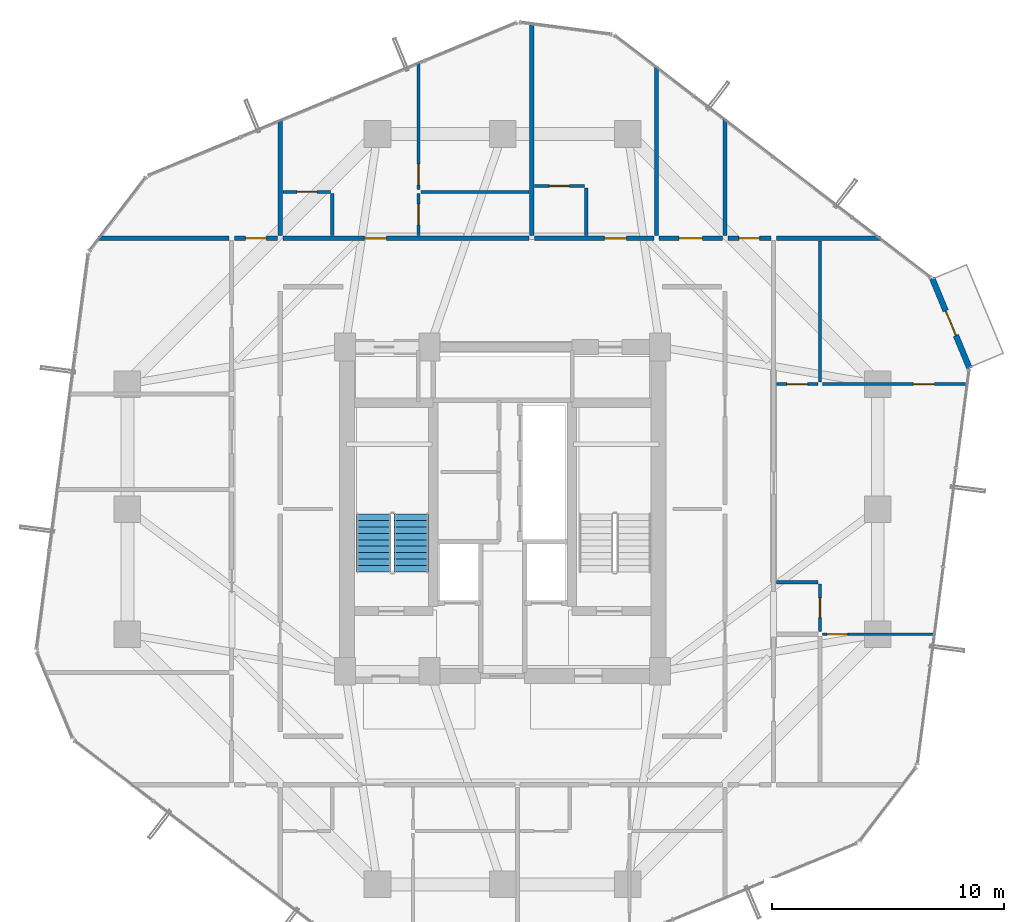
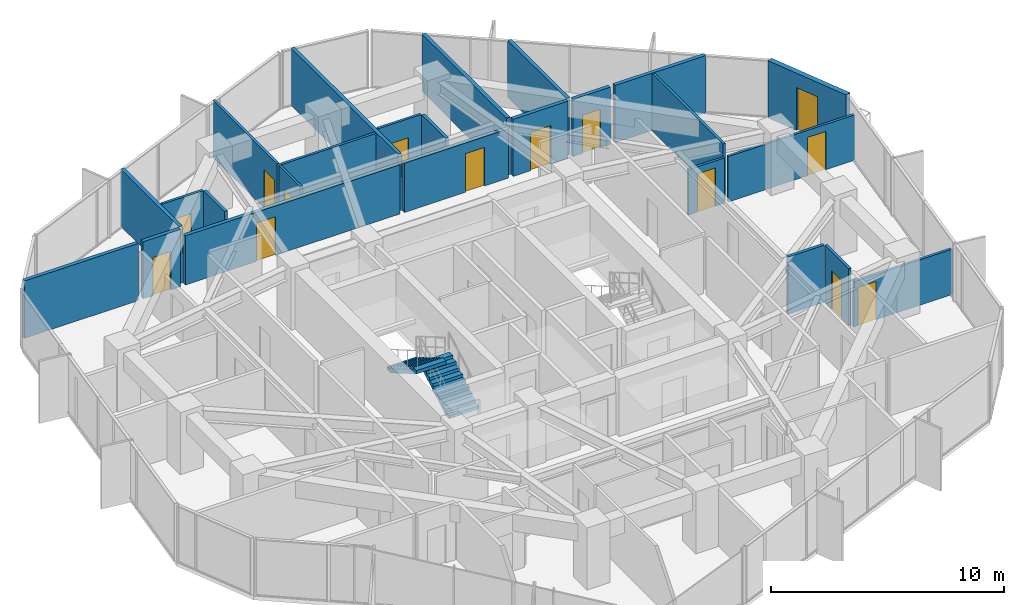
# One storey, part 27 of 30: 25 walls, 14 doors, 2 stair flights, 14 openings, 1 element without a shape of its own.
"""IFC4 building model written with IfcOpenShell, lengths in metres."""

from ifc_helpers import new_model, si_unit, direction, frame, frame_2d, origin, place, context, subcontext, project, spatial, polyline, rectangle, outline, extrude, source, transform, mapped, material, layer, layer_set, type_object, element, fill, aggregate, save


model = new_model("IFC4")

# Units and contexts
model_context = context("Model", 3, precision=1e-05, world=origin(), true_north=direction((0.0, 1.0)))
body_context = subcontext(model_context, "Body", "Model", "MODEL_VIEW")
ifc_project = project(units=[si_unit("LENGTHUNIT", "METRE"), si_unit("AREAUNIT", "SQUARE_METRE"), si_unit("VOLUMEUNIT", "CUBIC_METRE"), si_unit("PLANEANGLEUNIT", "RADIAN"), si_unit("MASSUNIT", "GRAM", prefix="KILO")], contexts=[model_context])

# Site, building, storey
site_placement = place(None, origin())
site = spatial("IfcSite", under=ifc_project, at=site_placement, CompositionType="ELEMENT")
building_placement = place(site_placement, origin())
building = spatial("IfcBuilding", under=site, at=building_placement, Name="Veraguas Prism Commons", CompositionType="ELEMENT")
storey_placement = place(building_placement, frame((0.0, 0.0, 102.449951171875)))
storey = spatial("IfcBuildingStorey", under=building, at=storey_placement, Name="L28", CompositionType="ELEMENT", Elevation=102.449951171875)

# Walls
ifc_material_1 = material(Name="Autoclaved aerated masonry block 10 MPa", Category="masonry")
ifc_layer_1 = layer(ifc_material_1, 0.179931640625, Name="Corridor and Inter-Tenancy Partition 180", Category="masonry")
ifc_layer_set_1 = layer_set([ifc_layer_1], Name="Autoclaved aerated masonry block 10 MPa")
wall_type_1 = type_object("IfcWallType", Name="Corridor and Inter-Tenancy Partition 180", PredefinedType="PARTITIONING", material=ifc_layer_set_1)
wall_1_placement = place(storey_placement, frame((14.39990234375, 35.820068359375, 0.0), z_axis=(0.0, 0.0, 1.0), x_axis=(0.0, 1.0, 0.0)))
element("IfcWall", 1, at=wall_1_placement, inside=storey, type_object=wall_type_1, Name="WL-L28-PT016", PredefinedType="PARTITIONING", context=body_context, shape_type="SweptSolid", body=[
    extrude(rectangle(XDim=4.9970703125, YDim=0.179931640625, at=frame_2d((2.49853515625, 0.0))), origin(), (0.0, 0.0, 1.0), 3.0),
])
wall_2_placement = place(storey_placement, frame((33.60009765625, 35.820068359375, 0.0), z_axis=(0.0, 0.0, 1.0), x_axis=(0.0, 1.0, 0.0)))
element("IfcWall", 2, at=wall_2_placement, inside=storey, type_object=wall_type_1, Name="WL-L28-PT017", PredefinedType="PARTITIONING", context=body_context, shape_type="SweptSolid", body=[
    extrude(rectangle(XDim=5.028076171875, YDim=0.179931640625, at=frame_2d((2.51416015625, 0.0))), origin(), (0.0, 0.0, 1.0), 3.0),
])

# Wall, opening, door
wall_3_placement = place(storey_placement, frame((14.510009765625, 35.699951171875, 0.0), z_axis=(0.0, 0.0, 1.0), x_axis=(1.0, 0.0, 0.0)))
wall_3 = element("IfcWall", 3, at=wall_3_placement, inside=storey, type_object=wall_type_1, Name="WL-L28-PT018", PredefinedType="PARTITIONING", context=body_context, shape_type="SweptSolid", body=[
    extrude(rectangle(XDim=10.635986328125, YDim=0.179931640625, at=frame_2d((5.31787109375, 0.0))), origin(), (0.0, 0.0, 1.0), 2.580078125),
])
opening_1_placement = place(wall_3_placement, frame((3.525390625, 0.0, 0.0)))
opening_1 = element("IfcOpeningElement", 4, at=opening_1_placement, cuts=wall_3, Name="Opening DR-01", PredefinedType="OPENING", context=body_context, shape_type="SweptSolid", body=[
    extrude(rectangle(XDim=0.949951171875, YDim=2.02001953125, at=frame_2d((0.47509765625, 1.010009765625))), frame((0.0, 0.099853515625, 0.0), z_axis=(0.0, -1.0, 0.0), x_axis=(1.0, 0.0, 0.0)), (0.0, 0.0, 1.0), 0.199951171875),
])
ifc_material_2 = material(Name="Anodised aluminium EN AW-6063 T6", Category="aluminium")
door_type_1 = type_object("IfcDoorType", Name="Apartment Entrance Fire Door 950x2020", OperationType="NOTDEFINED", PredefinedType="DOOR", material=ifc_material_2)
shared_shape_1 = source(origin(), body_context, "Body", "SweptSolid", [
    extrude(rectangle(XDim=0.949951171875, YDim=2.02001953125, at=frame_2d((0.47509765625, 1.010009765625))), frame((0.0, 0.02490234375, 0.0), z_axis=(0.0, -1.0, 0.0), x_axis=(1.0, 0.0, 0.0)), (0.0, 0.0, 1.0), 0.050048828125),
])
door_1_placement = place(opening_1_placement, origin())
door_1 = element("IfcDoor", 5, at=door_1_placement, inside=storey, type_object=door_type_1, Name="Flat 28C Entrance Door", OperationType="SINGLE_SWING_RIGHT", OverallHeight=2.02001953125, OverallWidth=0.949951171875, PredefinedType="DOOR", context=body_context, shape_type="MappedRepresentation", body=[
    mapped(shared_shape_1, transform((0.0, 0.0, 0.0), scale=1.0)),
])
fill(opening_1, door_1)

# Wall
wall_4_placement = place(storey_placement, frame((25.256103515625, 35.820068359375, 0.0), z_axis=(0.0, 0.0, 1.0), x_axis=(0.0, 1.0, 0.0)))
element("IfcWall", 6, at=wall_4_placement, inside=storey, type_object=wall_type_1, Name="WL-L28-PT024", PredefinedType="PARTITIONING", context=body_context, shape_type="SweptSolid", body=[
    extrude(rectangle(XDim=9.17578125, YDim=0.179931640625, at=frame_2d((4.587890625, 0.0))), origin(), (0.0, 0.0, 1.0), 3.0),
])

# Wall, opening, door
wall_5_placement = place(storey_placement, frame((30.760009765625, 35.699951171875, 0.0), z_axis=(0.0, 0.0, 1.0), x_axis=(1.0, 0.0, 0.0)))
wall_5 = element("IfcWall", 7, at=wall_5_placement, inside=storey, type_object=wall_type_1, Name="WL-L28-PT025", PredefinedType="PARTITIONING", context=body_context, shape_type="SweptSolid", body=[
    extrude(rectangle(XDim=2.72998046875, YDim=0.179931640625, at=frame_2d((1.364990234375, 0.0))), origin(), (0.0, 0.0, 1.0), 3.0),
])
opening_2_placement = place(wall_5_placement, frame((0.864990234375, 0.0, 0.0)))
opening_2 = element("IfcOpeningElement", 8, at=opening_2_placement, cuts=wall_5, Name="Opening DR-13", PredefinedType="OPENING", context=body_context, shape_type="SweptSolid", body=[
    extrude(rectangle(XDim=1.0, YDim=2.010009765625, at=frame_2d((0.5, 1.0048828125))), frame((0.0, 0.099853515625, 0.0), z_axis=(0.0, -1.0, 0.0), x_axis=(1.0, 0.0, 0.0)), (0.0, 0.0, 1.0), 0.199951171875),
])
ifc_material_3 = material(Name="Steel fire-rated door assembly", Category="steel")
door_type_2 = type_object("IfcDoorType", Name="Core Accessible WC and Clinic Fire Door 1000x2010", OperationType="NOTDEFINED", PredefinedType="DOOR", material=ifc_material_3)
shared_shape_2 = source(origin(), body_context, "Body", "SweptSolid", [
    extrude(rectangle(XDim=1.0, YDim=2.010009765625, at=frame_2d((0.5, 1.0048828125))), frame((0.0, 0.02490234375, 0.0), z_axis=(0.0, -1.0, 0.0), x_axis=(1.0, 0.0, 0.0)), (0.0, 0.0, 1.0), 0.050048828125),
])
door_2_placement = place(opening_2_placement, origin())
door_2 = element("IfcDoor", 9, at=door_2_placement, inside=storey, type_object=door_type_2, Name="Quiet Study N Door", OperationType="SINGLE_SWING_RIGHT", OverallHeight=2.010009765625, OverallWidth=1.0, PredefinedType="DOOR", context=body_context, shape_type="MappedRepresentation", body=[
    mapped(shared_shape_2, transform((0.0, 0.0, 0.0), scale=1.0)),
])
fill(opening_2, door_2)

# Wall
wall_6_placement = place(storey_placement, frame((30.64990234375, 35.820068359375, 0.0), z_axis=(0.0, 0.0, 1.0), x_axis=(0.0, 1.0, 0.0)))
element("IfcWall", 10, at=wall_6_placement, inside=storey, type_object=wall_type_1, Name="WL-L28-PT026", PredefinedType="PARTITIONING", context=body_context, shape_type="SweptSolid", body=[
    extrude(rectangle(XDim=7.288330078125, YDim=0.179931640625, at=frame_2d((3.64404296875, 0.0))), origin(), (0.0, 0.0, 1.0), 3.0),
])

# Wall, opening, door
wall_7_placement = place(storey_placement, frame((25.365966796875, 35.699951171875, 0.0), z_axis=(0.0, 0.0, 1.0), x_axis=(1.0, 0.0, 0.0)))
wall_7 = element("IfcWall", 11, at=wall_7_placement, inside=storey, type_object=wall_type_1, Name="WL-L28-PT027", PredefinedType="PARTITIONING", context=body_context, shape_type="SweptSolid", body=[
    extrude(rectangle(XDim=5.174072265625, YDim=0.179931640625, at=frame_2d((2.5869140625, 0.0))), origin(), (0.0, 0.0, 1.0), 2.580078125),
])
opening_3_placement = place(wall_7_placement, frame((3.02978515625, 0.0, 0.0)))
opening_3 = element("IfcOpeningElement", 12, at=opening_3_placement, cuts=wall_7, Name="Opening DR-01", PredefinedType="OPENING", context=body_context, shape_type="SweptSolid", body=[
    extrude(rectangle(XDim=0.949951171875, YDim=2.02001953125, at=frame_2d((0.47509765625, 1.010009765625))), frame((0.0, 0.099853515625, 0.0), z_axis=(0.0, -1.0, 0.0), x_axis=(1.0, 0.0, 0.0)), (0.0, 0.0, 1.0), 0.199951171875),
])
door_3_placement = place(opening_3_placement, origin())
door_3 = element("IfcDoor", 13, at=door_3_placement, inside=storey, type_object=door_type_1, Name="Studio 28D Entrance Door", OperationType="SINGLE_SWING_LEFT", OverallHeight=2.02001953125, OverallWidth=0.949951171875, PredefinedType="DOOR", context=body_context, shape_type="MappedRepresentation", body=[
    mapped(shared_shape_1, transform((0.0, 0.0, 0.0), scale=1.0)),
])
fill(opening_3, door_3)

# Walls
wall_8_placement = place(storey_placement, frame((12.179931640625, 35.699951171875, 0.0), z_axis=(0.0, 0.0, 1.0), x_axis=(-1.0, 0.0, 0.0)))
element("IfcWall", 14, at=wall_8_placement, inside=storey, type_object=wall_type_1, Name="WL-L28-PT031", PredefinedType="PARTITIONING", context=body_context, shape_type="SweptSolid", body=[
    extrude(rectangle(XDim=5.647216796875, YDim=0.179931640625, at=frame_2d((2.82373046875, 0.0))), origin(), (0.0, 0.0, 1.0), 3.0),
])
wall_9_placement = place(storey_placement, frame((35.820068359375, 35.699951171875, 0.0), z_axis=(0.0, 0.0, 1.0), x_axis=(1.0, 0.0, 0.0)))
element("IfcWall", 15, at=wall_9_placement, inside=storey, type_object=wall_type_1, Name="WL-L28-PT040", PredefinedType="PARTITIONING", context=body_context, shape_type="SweptSolid", body=[
    extrude(rectangle(XDim=4.498779296875, YDim=0.179931640625, at=frame_2d((2.24951171875, 0.0))), origin(), (0.0, 0.0, 1.0), 3.0),
])

# Wall, opening, door
wall_10_placement = place(storey_placement, frame((12.419921875, 35.699951171875, 0.0), z_axis=(0.0, 0.0, 1.0), x_axis=(1.0, 0.0, 0.0)))
wall_10 = element("IfcWall", 16, at=wall_10_placement, inside=storey, type_object=wall_type_1, Name="WL-L28-PT053", PredefinedType="PARTITIONING", context=body_context, shape_type="SweptSolid", body=[
    extrude(rectangle(XDim=1.860107421875, YDim=0.179931640625, at=frame_2d((0.93017578125, 0.0))), origin(), (0.0, 0.0, 1.0), 3.0),
])
opening_4_placement = place(wall_10_placement, frame((0.47998046875, 0.0, 0.0)))
opening_4 = element("IfcOpeningElement", 17, at=opening_4_placement, cuts=wall_10, Name="Opening DR-14", PredefinedType="OPENING", context=body_context, shape_type="SweptSolid", body=[
    extrude(rectangle(XDim=0.89990234375, YDim=2.010009765625, at=frame_2d((0.449951171875, 1.0048828125))), frame((0.0, 0.099853515625, 0.0), z_axis=(0.0, -1.0, 0.0), x_axis=(1.0, 0.0, 0.0)), (0.0, 0.0, 1.0), 0.199951171875),
])
door_type_3 = type_object("IfcDoorType", Name="Core Service Room Fire Door 900x2010", OperationType="NOTDEFINED", PredefinedType="DOOR", material=ifc_material_3)
shared_shape_3 = source(origin(), body_context, "Body", "SweptSolid", [
    extrude(rectangle(XDim=0.89990234375, YDim=2.010009765625, at=frame_2d((0.449951171875, 1.0048828125))), frame((0.0, 0.02490234375, 0.0), z_axis=(0.0, -1.0, 0.0), x_axis=(1.0, 0.0, 0.0)), (0.0, 0.0, 1.0), 0.050048828125),
])
door_4_placement = place(opening_4_placement, origin())
door_4 = element("IfcDoor", 18, at=door_4_placement, inside=storey, type_object=door_type_3, Name="Community Co-op Kitchen NW Door", OperationType="SINGLE_SWING_LEFT", OverallHeight=2.010009765625, OverallWidth=0.89990234375, PredefinedType="DOOR", context=body_context, shape_type="MappedRepresentation", body=[
    mapped(shared_shape_3, transform((0.0, 0.0, 0.0), scale=1.0)),
])
fill(opening_4, door_4)

wall_11_placement = place(storey_placement, frame((33.719970703125, 35.699951171875, 0.0), z_axis=(0.0, 0.0, 1.0), x_axis=(1.0, 0.0, 0.0)))
wall_11 = element("IfcWall", 19, at=wall_11_placement, inside=storey, type_object=wall_type_1, Name="WL-L28-PT054", PredefinedType="PARTITIONING", context=body_context, shape_type="SweptSolid", body=[
    extrude(rectangle(XDim=1.860107421875, YDim=0.179931640625, at=frame_2d((0.93017578125, 0.0))), origin(), (0.0, 0.0, 1.0), 3.0),
])
opening_5_placement = place(wall_11_placement, frame((0.47998046875, 0.0, 0.0)))
opening_5 = element("IfcOpeningElement", 20, at=opening_5_placement, cuts=wall_11, Name="Opening DR-14", PredefinedType="OPENING", context=body_context, shape_type="SweptSolid", body=[
    extrude(rectangle(XDim=0.89990234375, YDim=2.010009765625, at=frame_2d((0.449951171875, 1.0048828125))), frame((0.0, 0.099853515625, 0.0), z_axis=(0.0, -1.0, 0.0), x_axis=(1.0, 0.0, 0.0)), (0.0, 0.0, 1.0), 0.199951171875),
])
door_5_placement = place(opening_5_placement, origin())
door_5 = element("IfcDoor", 21, at=door_5_placement, inside=storey, type_object=door_type_3, Name="Residents Cycle and Pram Store NE Door", OperationType="SINGLE_SWING_RIGHT", OverallHeight=2.010009765625, OverallWidth=0.89990234375, PredefinedType="DOOR", context=body_context, shape_type="MappedRepresentation", body=[
    mapped(shared_shape_3, transform((0.0, 0.0, 0.0), scale=1.0)),
])
fill(opening_5, door_5)

ifc_material_4 = material(Name="Precast concrete C40/50", Category="concrete")
ifc_layer_2 = layer(ifc_material_4, 0.25, Name="External Loggia and Portal Wall 250", Category="concrete")
ifc_layer_set_2 = layer_set([ifc_layer_2], Name="Precast concrete C40/50")
wall_type_2 = type_object("IfcWallType", Name="External Loggia and Portal Wall 250", PredefinedType="SOLIDWALL", material=ifc_layer_set_2)
wall_12_placement = place(storey_placement, frame((44.162109375, 30.076416015625, 0.0), z_axis=(0.0, 0.0, 1.0), x_axis=(-0.383361891247, 0.923598213694, 0.0)))
wall_12 = element("IfcWall", 22, at=wall_12_placement, inside=storey, type_object=wall_type_2, Name="Corner Loggia Wall L28-C1", PredefinedType="SOLIDWALL", context=body_context, shape_type="SweptSolid", body=[
    extrude(rectangle(XDim=4.233154296875, YDim=0.25, at=frame_2d((2.11669921875, 0.0))), origin(), (0.0, 0.0, 1.0), 3.0),
])
opening_6_placement = place(wall_12_placement, frame((1.5419921875, 0.0, 0.0)))
opening_6 = element("IfcOpeningElement", 23, at=opening_6_placement, cuts=wall_12, Name="Opening DR-10", PredefinedType="OPENING", context=body_context, shape_type="SweptSolid", body=[
    extrude(rectangle(XDim=1.14990234375, YDim=2.25, at=frame_2d((0.574951171875, 1.125))), frame((0.0, 0.135009765625, 0.0), z_axis=(0.0, -1.0, 0.0), x_axis=(1.0, 0.0, 0.0)), (0.0, 0.0, 1.0), 0.27001953125),
])
door_type_4 = type_object("IfcDoorType", Name="Glazed Loggia and Terrace Door 1150x2250", OperationType="NOTDEFINED", PredefinedType="DOOR", material=ifc_material_2)
shared_shape_4 = source(origin(), body_context, "Body", "SweptSolid", [
    extrude(rectangle(XDim=1.14990234375, YDim=2.25, at=frame_2d((0.574951171875, 1.125))), frame((0.0, 0.02490234375, 0.0), z_axis=(0.0, -1.0, 0.0), x_axis=(1.0, 0.0, 0.0)), (0.0, 0.0, 1.0), 0.050048828125),
])
door_6_placement = place(opening_6_placement, frame((1.14990234375, 0.0, 0.0), z_axis=(0.0, 0.0, 1.0), x_axis=(-1.0, 0.0, 0.0)))
door_6 = element("IfcDoor", 24, at=door_6_placement, inside=storey, type_object=door_type_4, Name="Recessed Loggia Door L28-C1", OperationType="SINGLE_SWING_RIGHT", OverallHeight=2.25, OverallWidth=1.14990234375, PredefinedType="DOOR", context=body_context, shape_type="MappedRepresentation", body=[
    mapped(shared_shape_4, transform((0.0, 0.0, 0.0), scale=1.0)),
])
fill(opening_6, door_6)

ifc_material_5 = material(Name="Lightweight acoustic gypsum board")
ifc_layer_3 = layer(ifc_material_5, 0.125, Name="Internal Apartment Room Partition 125")
ifc_layer_set_3 = layer_set([ifc_layer_3], Name="Lightweight acoustic gypsum board")
wall_type_3 = type_object("IfcWallType", Name="Internal Apartment Room Partition 125", PredefinedType="PARTITIONING", material=ifc_layer_set_3)
wall_13_placement = place(storey_placement, frame((14.52001953125, 37.699951171875, 0.0), z_axis=(0.0, 0.0, 1.0), x_axis=(1.0, 0.0, 0.0)))
wall_13 = element("IfcWall", 25, at=wall_13_placement, inside=storey, type_object=wall_type_3, Name="WL-L28-PT020", PredefinedType="PARTITIONING", context=body_context, shape_type="SweptSolid", body=[
    extrude(rectangle(XDim=2.050048828125, YDim=0.125, at=frame_2d((1.02490234375, 0.0))), origin(), (0.0, 0.0, 1.0), 3.0),
])
opening_7_placement = place(wall_13_placement, frame((0.594970703125, 0.0, 0.0)))
opening_7 = element("IfcOpeningElement", 26, at=opening_7_placement, cuts=wall_13, Name="Opening DR-03", PredefinedType="OPENING", context=body_context, shape_type="SweptSolid", body=[
    extrude(rectangle(XDim=0.860107421875, YDim=2.010009765625, at=frame_2d((0.43017578125, 1.0048828125))), frame((0.0, 0.072509765625, 0.0), z_axis=(0.0, -1.0, 0.0), x_axis=(1.0, 0.0, 0.0)), (0.0, 0.0, 1.0), 0.14501953125),
])
ifc_material_6 = material(Name="Timber moisture-resistant leaf", Category="wood")
door_type_5 = type_object("IfcDoorType", Name="Internal Bathroom Door 860x2010", OperationType="NOTDEFINED", PredefinedType="DOOR", material=ifc_material_6)
shared_shape_5 = source(origin(), body_context, "Body", "SweptSolid", [
    extrude(rectangle(XDim=0.860107421875, YDim=2.010009765625, at=frame_2d((0.43017578125, 1.0048828125))), frame((0.0, 0.02490234375, 0.0), z_axis=(0.0, -1.0, 0.0), x_axis=(1.0, 0.0, 0.0)), (0.0, 0.0, 1.0), 0.050048828125),
])
door_7_placement = place(opening_7_placement, origin())
door_7 = element("IfcDoor", 27, at=door_7_placement, inside=storey, type_object=door_type_5, Name="Flat 28C Bathroom Door", OperationType="SINGLE_SWING_LEFT", OverallHeight=2.010009765625, OverallWidth=0.860107421875, PredefinedType="DOOR", context=body_context, shape_type="MappedRepresentation", body=[
    mapped(shared_shape_5, transform((0.0, 0.0, 0.0), scale=1.0)),
])
fill(opening_7, door_7)

wall_14_placement = place(storey_placement, frame((20.37109375, 35.820068359375, 0.0), z_axis=(0.0, 0.0, 1.0), x_axis=(0.0, 1.0, 0.0)))
wall_14 = element("IfcWall", 28, at=wall_14_placement, inside=storey, type_object=wall_type_3, Name="WL-L28-PT021", PredefinedType="PARTITIONING", context=body_context, shape_type="SweptSolid", body=[
    extrude(rectangle(XDim=1.800048828125, YDim=0.125, at=frame_2d((0.89990234375, 0.0))), origin(), (0.0, 0.0, 1.0), 3.0),
])
opening_8_placement = place(wall_14_placement, frame((0.449951171875, 0.0, 0.0)))
opening_8 = element("IfcOpeningElement", 29, at=opening_8_placement, cuts=wall_14, Name="Opening DR-02", PredefinedType="OPENING", context=body_context, shape_type="SweptSolid", body=[
    extrude(rectangle(XDim=0.89990234375, YDim=2.010009765625, at=frame_2d((0.449951171875, 1.0048828125))), frame((0.0, 0.072509765625, 0.0), z_axis=(0.0, -1.0, 0.0), x_axis=(1.0, 0.0, 0.0)), (0.0, 0.0, 1.0), 0.14501953125),
])
ifc_material_7 = material(Name="Timber solid core hardwood", Category="wood")
door_type_6 = type_object("IfcDoorType", Name="Internal Habitable Room Door 900x2010", OperationType="NOTDEFINED", PredefinedType="DOOR", material=ifc_material_7)
door_8_placement = place(opening_8_placement, origin())
door_8 = element("IfcDoor", 30, at=door_8_placement, inside=storey, type_object=door_type_6, Name="Flat 28C Kitchen Door", OperationType="SINGLE_SWING_RIGHT", OverallHeight=2.010009765625, OverallWidth=0.89990234375, PredefinedType="DOOR", context=body_context, shape_type="MappedRepresentation", body=[
    mapped(shared_shape_3, transform((0.0, 0.0, 0.0), scale=1.0)),
])
fill(opening_8, door_8)

# Wall
wall_15_placement = place(storey_placement, frame((20.470947265625, 37.699951171875, 0.0), z_axis=(0.0, 0.0, 1.0), x_axis=(1.0, 0.0, 0.0)))
element("IfcWall", 31, at=wall_15_placement, inside=storey, type_object=wall_type_3, Name="WL-L28-PT022", PredefinedType="PARTITIONING", context=body_context, shape_type="SweptSolid", body=[
    extrude(rectangle(XDim=4.6650390625, YDim=0.125, at=frame_2d((2.33251953125, 0.0))), origin(), (0.0, 0.0, 1.0), 3.0),
])

# Wall, opening, door
wall_16_placement = place(storey_placement, frame((20.37109375, 37.800048828125, 0.0), z_axis=(0.0, 0.0, 1.0), x_axis=(0.0, 1.0, 0.0)))
wall_16 = element("IfcWall", 32, at=wall_16_placement, inside=storey, type_object=wall_type_3, Name="WL-L28-PT023", PredefinedType="PARTITIONING", context=body_context, shape_type="SweptSolid", body=[
    extrude(rectangle(XDim=5.495361328125, YDim=0.125, at=frame_2d((2.74755859375, 0.0))), origin(), (0.0, 0.0, 1.0), 3.0),
])
opening_9_placement = place(wall_16_placement, frame((0.199951171875, 0.0, 0.0)))
opening_9 = element("IfcOpeningElement", 33, at=opening_9_placement, cuts=wall_16, Name="Opening DR-02", PredefinedType="OPENING", context=body_context, shape_type="SweptSolid", body=[
    extrude(rectangle(XDim=0.89990234375, YDim=2.010009765625, at=frame_2d((0.449951171875, 1.0048828125))), frame((0.0, 0.072509765625, 0.0), z_axis=(0.0, -1.0, 0.0), x_axis=(1.0, 0.0, 0.0)), (0.0, 0.0, 1.0), 0.14501953125),
])
door_9_placement = place(opening_9_placement, origin())
door_9 = element("IfcDoor", 34, at=door_9_placement, inside=storey, type_object=door_type_6, Name="Flat 28C Bedroom 1 Door", OperationType="SINGLE_SWING_LEFT", OverallHeight=2.010009765625, OverallWidth=0.89990234375, PredefinedType="DOOR", context=body_context, shape_type="MappedRepresentation", body=[
    mapped(shared_shape_3, transform((0.0, 0.0, 0.0), scale=1.0)),
])
fill(opening_9, door_9)

wall_17_placement = place(storey_placement, frame((25.3759765625, 37.949951171875, 0.0), z_axis=(0.0, 0.0, 1.0), x_axis=(1.0, 0.0, 0.0)))
wall_17 = element("IfcWall", 35, at=wall_17_placement, inside=storey, type_object=wall_type_3, Name="WL-L28-PT029", PredefinedType="PARTITIONING", context=body_context, shape_type="SweptSolid", body=[
    extrude(rectangle(XDim=2.14990234375, YDim=0.125, at=frame_2d((1.074951171875, 0.0))), origin(), (0.0, 0.0, 1.0), 3.0),
])
opening_10_placement = place(wall_17_placement, frame((0.64501953125, 0.0, 0.0)))
opening_10 = element("IfcOpeningElement", 36, at=opening_10_placement, cuts=wall_17, Name="Opening DR-03", PredefinedType="OPENING", context=body_context, shape_type="SweptSolid", body=[
    extrude(rectangle(XDim=0.860107421875, YDim=2.010009765625, at=frame_2d((0.43017578125, 1.0048828125))), frame((0.0, 0.072509765625, 0.0), z_axis=(0.0, -1.0, 0.0), x_axis=(1.0, 0.0, 0.0)), (0.0, 0.0, 1.0), 0.14501953125),
])
door_10_placement = place(opening_10_placement, origin())
door_10 = element("IfcDoor", 37, at=door_10_placement, inside=storey, type_object=door_type_5, Name="Studio 28D Bathroom Door", OperationType="SINGLE_SWING_RIGHT", OverallHeight=2.010009765625, OverallWidth=0.860107421875, PredefinedType="DOOR", context=body_context, shape_type="MappedRepresentation", body=[
    mapped(shared_shape_5, transform((0.0, 0.0, 0.0), scale=1.0)),
])
fill(opening_10, door_10)

wall_18_placement = place(storey_placement, frame((37.800048828125, 18.60009765625, 0.0), z_axis=(0.0, 0.0, 1.0), x_axis=(1.0, 0.0, 0.0)))
wall_18 = element("IfcWall", 38, at=wall_18_placement, inside=storey, type_object=wall_type_3, Name="WL-L28-PT045", PredefinedType="PARTITIONING", context=body_context, shape_type="SweptSolid", body=[
    extrude(rectangle(XDim=4.869384765625, YDim=0.125, at=frame_2d((2.4345703125, 0.0))), origin(), (0.0, 0.0, 1.0), 2.3779296875),
])
opening_11_placement = place(wall_18_placement, frame((0.199951171875, 0.0, 0.0)))
opening_11 = element("IfcOpeningElement", 39, at=opening_11_placement, cuts=wall_18, Name="Opening DR-02", PredefinedType="OPENING", context=body_context, shape_type="SweptSolid", body=[
    extrude(rectangle(XDim=0.89990234375, YDim=2.010009765625, at=frame_2d((0.449951171875, 1.0048828125))), frame((0.0, 0.072509765625, 0.0), z_axis=(0.0, -1.0, 0.0), x_axis=(1.0, 0.0, 0.0)), (0.0, 0.0, 1.0), 0.14501953125),
])
door_11_placement = place(opening_11_placement, origin())
door_11 = element("IfcDoor", 40, at=door_11_placement, inside=storey, type_object=door_type_6, Name="Flat 28E Bedroom 2 Door", OperationType="SINGLE_SWING_LEFT", OverallHeight=2.010009765625, OverallWidth=0.89990234375, PredefinedType="DOOR", context=body_context, shape_type="MappedRepresentation", body=[
    mapped(shared_shape_3, transform((0.0, 0.0, 0.0), scale=1.0)),
])
fill(opening_11, door_11)

wall_19_placement = place(storey_placement, frame((37.699951171875, 18.719970703125, 0.0), z_axis=(0.0, 0.0, 1.0), x_axis=(0.0, 1.0, 0.0)))
wall_19 = element("IfcWall", 41, at=wall_19_placement, inside=storey, type_object=wall_type_3, Name="WL-L28-PT047", PredefinedType="PARTITIONING", context=body_context, shape_type="SweptSolid", body=[
    extrude(rectangle(XDim=2.050048828125, YDim=0.125, at=frame_2d((1.02490234375, 0.0))), origin(), (0.0, 0.0, 1.0), 3.0),
])
opening_12_placement = place(wall_19_placement, frame((0.594970703125, 0.0, 0.0)))
opening_12 = element("IfcOpeningElement", 42, at=opening_12_placement, cuts=wall_19, Name="Opening DR-03", PredefinedType="OPENING", context=body_context, shape_type="SweptSolid", body=[
    extrude(rectangle(XDim=0.860107421875, YDim=2.010009765625, at=frame_2d((0.43017578125, 1.0048828125))), frame((0.0, 0.072509765625, 0.0), z_axis=(0.0, -1.0, 0.0), x_axis=(1.0, 0.0, 0.0)), (0.0, 0.0, 1.0), 0.14501953125),
])
door_12_placement = place(opening_12_placement, origin())
door_12 = element("IfcDoor", 43, at=door_12_placement, inside=storey, type_object=door_type_5, Name="Flat 28E Bathroom Door", OperationType="SINGLE_SWING_RIGHT", OverallHeight=2.010009765625, OverallWidth=0.860107421875, PredefinedType="DOOR", context=body_context, shape_type="MappedRepresentation", body=[
    mapped(shared_shape_5, transform((0.0, 0.0, 0.0), scale=1.0)),
])
fill(opening_12, door_12)

wall_20_placement = place(storey_placement, frame((35.820068359375, 29.39990234375, 0.0), z_axis=(0.0, 0.0, 1.0), x_axis=(1.0, 0.0, 0.0)))
wall_20 = element("IfcWall", 44, at=wall_20_placement, inside=storey, type_object=wall_type_3, Name="WL-L28-PT048", PredefinedType="PARTITIONING", context=body_context, shape_type="SweptSolid", body=[
    extrude(rectangle(XDim=1.800048828125, YDim=0.125, at=frame_2d((0.89990234375, 0.0))), origin(), (0.0, 0.0, 1.0), 2.3779296875),
])
opening_13_placement = place(wall_20_placement, frame((0.449951171875, 0.0, 0.0)))
opening_13 = element("IfcOpeningElement", 45, at=opening_13_placement, cuts=wall_20, Name="Opening DR-02", PredefinedType="OPENING", context=body_context, shape_type="SweptSolid", body=[
    extrude(rectangle(XDim=0.89990234375, YDim=2.010009765625, at=frame_2d((0.449951171875, 1.0048828125))), frame((0.0, 0.072509765625, 0.0), z_axis=(0.0, -1.0, 0.0), x_axis=(1.0, 0.0, 0.0)), (0.0, 0.0, 1.0), 0.14501953125),
])
door_13_placement = place(opening_13_placement, origin())
door_13 = element("IfcDoor", 46, at=door_13_placement, inside=storey, type_object=door_type_6, Name="Flat 28E Kitchen Door", OperationType="SINGLE_SWING_LEFT", OverallHeight=2.010009765625, OverallWidth=0.89990234375, PredefinedType="DOOR", context=body_context, shape_type="MappedRepresentation", body=[
    mapped(shared_shape_3, transform((0.0, 0.0, 0.0), scale=1.0)),
])
fill(opening_13, door_13)

# Wall
wall_21_placement = place(storey_placement, frame((37.699951171875, 29.5, 0.0), z_axis=(0.0, 0.0, 1.0), x_axis=(0.0, 1.0, 0.0)))
element("IfcWall", 47, at=wall_21_placement, inside=storey, type_object=wall_type_3, Name="WL-L28-PT049", PredefinedType="PARTITIONING", context=body_context, shape_type="SweptSolid", body=[
    extrude(rectangle(XDim=6.080078125, YDim=0.125, at=frame_2d((3.0400390625, 0.0))), origin(), (0.0, 0.0, 1.0), 3.0),
])

# Wall, opening, door
wall_22_placement = place(storey_placement, frame((37.800048828125, 29.39990234375, 0.0), z_axis=(0.0, 0.0, 1.0), x_axis=(1.0, 0.0, 0.0)))
wall_22 = element("IfcWall", 48, at=wall_22_placement, inside=storey, type_object=wall_type_3, Name="WL-L28-PT050", PredefinedType="PARTITIONING", context=body_context, shape_type="SweptSolid", body=[
    extrude(rectangle(XDim=6.283447265625, YDim=0.125, at=frame_2d((3.1416015625, 0.0))), origin(), (0.0, 0.0, 1.0), 2.3779296875),
])
opening_14_placement = place(wall_22_placement, frame((3.937744140625, 0.0, 0.0)))
opening_14 = element("IfcOpeningElement", 49, at=opening_14_placement, cuts=wall_22, Name="Opening DR-02", PredefinedType="OPENING", context=body_context, shape_type="SweptSolid", body=[
    extrude(rectangle(XDim=0.89990234375, YDim=2.010009765625, at=frame_2d((0.449951171875, 1.0048828125))), frame((0.0, 0.072509765625, 0.0), z_axis=(0.0, -1.0, 0.0), x_axis=(1.0, 0.0, 0.0)), (0.0, 0.0, 1.0), 0.14501953125),
])
door_14_placement = place(opening_14_placement, origin())
door_14 = element("IfcDoor", 50, at=door_14_placement, inside=storey, type_object=door_type_6, Name="Flat 28E Bedroom 1 Door", OperationType="SINGLE_SWING_RIGHT", OverallHeight=2.010009765625, OverallWidth=0.89990234375, PredefinedType="DOOR", context=body_context, shape_type="MappedRepresentation", body=[
    mapped(shared_shape_3, transform((0.0, 0.0, 0.0), scale=1.0)),
])
fill(opening_14, door_14)

# Walls
ifc_layer_4 = layer(ifc_material_5, 0.14990234375, Name="Wet Room and Clinic Acoustic Partition 150")
ifc_layer_set_4 = layer_set([ifc_layer_4], Name="Lightweight acoustic gypsum board")
wall_type_4 = type_object("IfcWallType", Name="Wet Room and Clinic Acoustic Partition 150", PredefinedType="PARTITIONING", material=ifc_layer_set_4)
wall_23_placement = place(storey_placement, frame((16.64990234375, 35.820068359375, 0.0), z_axis=(0.0, 0.0, 1.0), x_axis=(0.0, 1.0, 0.0)))
element("IfcWall", 51, at=wall_23_placement, inside=storey, type_object=wall_type_4, Name="WL-L28-PT019", PredefinedType="PARTITIONING", context=body_context, shape_type="SweptSolid", body=[
    extrude(rectangle(XDim=1.800048828125, YDim=0.14990234375, at=frame_2d((0.89990234375, 0.0))), origin(), (0.0, 0.0, 1.0), 3.0),
])
wall_24_placement = place(storey_placement, frame((27.60595703125, 35.820068359375, 0.0), z_axis=(0.0, 0.0, 1.0), x_axis=(0.0, 1.0, 0.0)))
element("IfcWall", 52, at=wall_24_placement, inside=storey, type_object=wall_type_4, Name="WL-L28-PT028", PredefinedType="PARTITIONING", context=body_context, shape_type="SweptSolid", body=[
    extrude(rectangle(XDim=2.050048828125, YDim=0.14990234375, at=frame_2d((1.02490234375, 0.0))), origin(), (0.0, 0.0, 1.0), 3.0),
])
wall_25_placement = place(storey_placement, frame((35.820068359375, 20.85009765625, 0.0), z_axis=(0.0, 0.0, 1.0), x_axis=(1.0, 0.0, 0.0)))
element("IfcWall", 53, at=wall_25_placement, inside=storey, type_object=wall_type_4, Name="WL-L28-PT046", PredefinedType="PARTITIONING", context=body_context, shape_type="SweptSolid", body=[
    extrude(rectangle(XDim=1.800048828125, YDim=0.14990234375, at=frame_2d((0.89990234375, 0.0))), origin(), (0.0, 0.0, 1.0), 3.0),
])

# Stair, stair flights
ifc_material_8 = material(Name="Precast concrete C45/55", Category="concrete")
stair_type = type_object("IfcStairType", Name="Dogleg Core Stair 1480W 20R 05", PredefinedType="HALF_TURN_STAIR", material=ifc_material_8)
stair_placement = place(storey_placement, origin())
stair = element("IfcStair", 54, at=stair_placement, inside=storey, type_object=stair_type, Name="Protected Exit Stair ST-01 L28", PredefinedType="HALF_TURN_STAIR")
stair_flight_type = type_object("IfcStairFlightType", Name="Precast Stair Flight 1480W 10R 05", PredefinedType="STRAIGHT", material=ifc_material_8)
stair_flight_1_placement = place(storey_placement, frame((20.06005859375, 21.280029296875, 0.0), z_axis=(0.0, 0.0, 1.0), x_axis=(0.0, 1.0, 0.0)))
stair_flight_1 = element("IfcStairFlight", 55, at=stair_flight_1_placement, type_object=stair_flight_type, Name="ST-05 Flight 1", NumberOfRisers=10, NumberOfTreads=9, PredefinedType="STRAIGHT", RiserHeight=0.1625, TreadLength=0.28, context=body_context, shape_type="SweptSolid", body=[
    extrude(outline(polyline([(0.0, 0.0), (0.0, 0.16259765625), (0.280029296875, 0.16259765625), (0.280029296875, 0.324951171875), (0.56005859375, 0.324951171875), (0.56005859375, 0.487548828125), (0.840087890625, 0.487548828125), (0.840087890625, 0.64990234375), (1.1201171875, 0.64990234375), (1.1201171875, 0.8125), (1.39990234375, 0.8125), (1.39990234375, 0.97509765625), (1.679931640625, 0.97509765625), (1.679931640625, 1.137451171875), (1.9599609375, 1.137451171875), (1.9599609375, 1.300048828125), (2.239990234375, 1.300048828125), (2.239990234375, 1.46240234375), (2.52001953125, 1.46240234375), (2.52001953125, 1.625), (2.52001953125, 1.2890625), (0.298583984375, 0.0), (0.0, 0.0)])), frame((0.0, 0.739990234375, 0.0), z_axis=(0.0, -1.0, 0.0), x_axis=(1.0, 0.0, 0.0)), (0.0, 0.0, 1.0), 1.47998046875),
])
stair_flight_2_placement = place(storey_placement, frame((18.429931640625, 23.800048828125, 1.625), z_axis=(0.0, 0.0, 1.0), x_axis=(0.0, -1.0, 0.0)))
stair_flight_2 = element("IfcStairFlight", 56, at=stair_flight_2_placement, type_object=stair_flight_type, Name="ST-05 Flight 2", NumberOfRisers=10, NumberOfTreads=9, PredefinedType="STRAIGHT", RiserHeight=0.1625, TreadLength=0.28, context=body_context, shape_type="SweptSolid", body=[
    extrude(outline(polyline([(0.0, 0.0), (0.0, 0.16259765625), (0.280029296875, 0.16259765625), (0.280029296875, 0.324951171875), (0.56005859375, 0.324951171875), (0.56005859375, 0.487548828125), (0.840087890625, 0.487548828125), (0.840087890625, 0.64990234375), (1.1201171875, 0.64990234375), (1.1201171875, 0.8125), (1.39990234375, 0.8125), (1.39990234375, 0.97509765625), (1.679931640625, 0.97509765625), (1.679931640625, 1.137451171875), (1.9599609375, 1.137451171875), (1.9599609375, 1.300048828125), (2.239990234375, 1.300048828125), (2.239990234375, 1.46240234375), (2.52001953125, 1.46240234375), (2.52001953125, 1.625), (2.52001953125, 1.2890625), (0.298583984375, 0.0), (0.0, 0.0)])), frame((0.0, 0.739990234375, 0.0), z_axis=(0.0, -1.0, 0.0), x_axis=(1.0, 0.0, 0.0)), (0.0, 0.0, 1.0), 1.47998046875),
])
aggregate(stair, [stair_flight_1, stair_flight_2])

save(model, "model.ifc")
